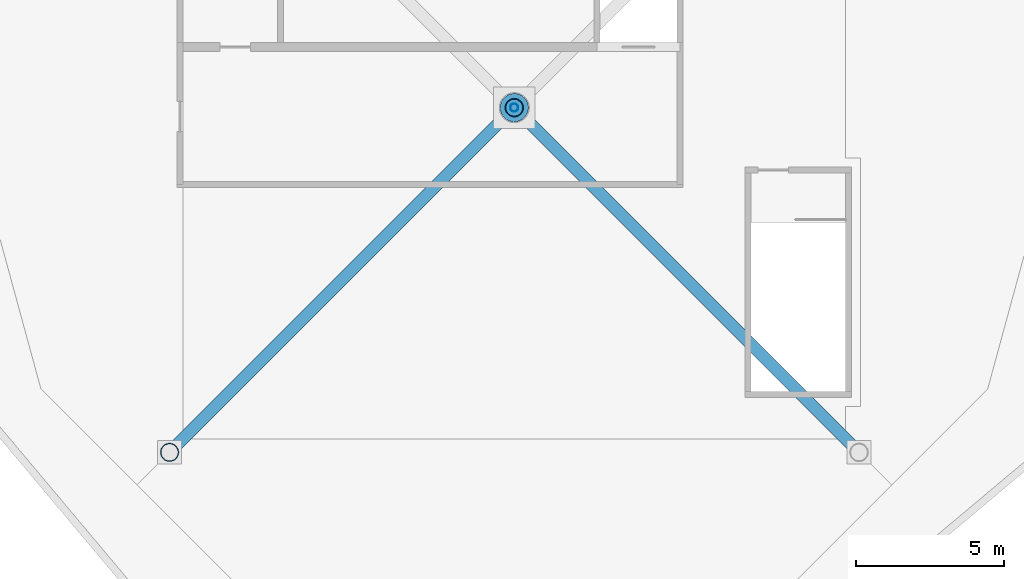
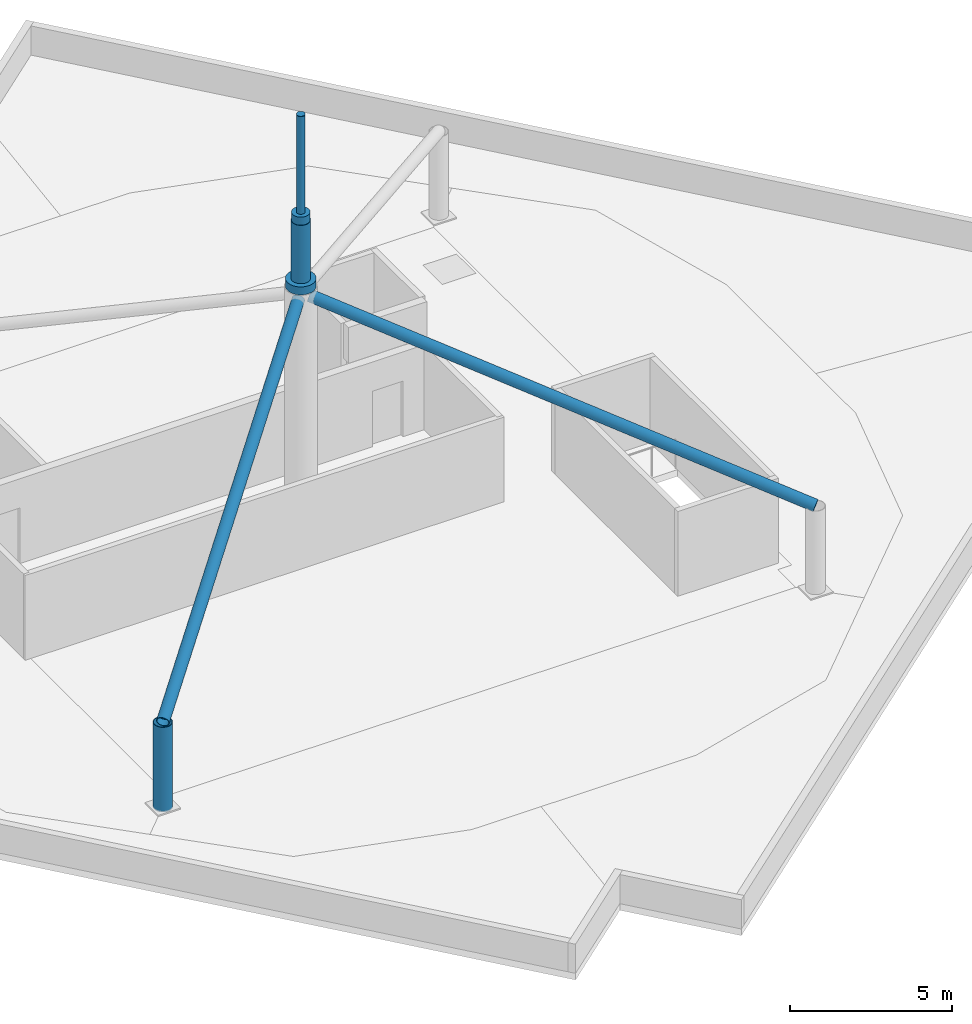
# One storey, part 1 of 4: 5 columns, 3 members.
"""IFC4 building model written with IfcOpenShell, lengths in metres."""

from ifc_helpers import new_model, si_unit, direction, frame, origin, origin_2d, place, context, subcontext, project, spatial, circle, hollow_circle, extrude, material, material_profile, profile_set, type_object, element, save


model = new_model("IFC4")

# Units and contexts
model_context = context("Model", 3, precision=1e-05, world=origin(), true_north=direction((0.0, 1.0)))
body_context = subcontext(model_context, "Body", "Model", "MODEL_VIEW")
ifc_project = project(units=[si_unit("LENGTHUNIT", "METRE"), si_unit("AREAUNIT", "SQUARE_METRE"), si_unit("VOLUMEUNIT", "CUBIC_METRE"), si_unit("PLANEANGLEUNIT", "RADIAN"), si_unit("MASSUNIT", "GRAM", prefix="KILO")], contexts=[model_context])

# Site, building, storey
site_placement = place(None, origin())
site = spatial("IfcSite", under=ifc_project, at=site_placement, CompositionType="ELEMENT")
building_placement = place(site_placement, origin())
building = spatial("IfcBuilding", under=site, at=building_placement, Name="Torsade Residences", CompositionType="ELEMENT")
storey_placement = place(building_placement, frame((0.0, 0.0, 308.800048828125)))
storey = spatial("IfcBuildingStorey", under=building, at=storey_placement, Name="RF", CompositionType="ELEMENT", Elevation=308.800048828125)

# Columns
ifc_material_1 = material(Name="Steel grade 450", Category="steel")
ifc_material_profile_1 = material_profile(ifc_material_1, hollow_circle(Radius=0.136474609375, WallThickness=0.00927734375, at=origin_2d()), Name="273.1x9.3CHS")
ifc_profile_set_1 = profile_set([ifc_material_profile_1], Name="Steel grade 450")
column_type_1 = type_object("IfcColumnType", Name="SPIRE MAST 273.1x9.3CHS", PredefinedType="USERDEFINED", material=ifc_profile_set_1)
column_1_placement = place(storey_placement, frame((40.0, 30.0, 11.300048828125), z_axis=(0.0, 0.0, 1.0), x_axis=(1.0, 0.0, 0.0)))
element("IfcColumn", 1, at=column_1_placement, inside=storey, type_object=column_type_1, Name="Spire mast section 3", ObjectType="SPIRE", PredefinedType="USERDEFINED", context=body_context, shape_type="SweptSolid", body=[
    extrude(hollow_circle(Radius=0.136474609375, WallThickness=0.00927734375, at=origin_2d()), origin(), (0.0, 0.0, 1.0), 3.683837890625),
])
ifc_material_2 = material(Name="Steel grade 450", Category="steel")
ifc_material_profile_2 = material_profile(ifc_material_2, hollow_circle(Radius=0.304931640625, WallThickness=0.01611328125, at=origin_2d()), Name="610.0x16.0CHS")
ifc_profile_set_2 = profile_set([ifc_material_profile_2], Name="Steel grade 450")
column_type_2 = type_object("IfcColumnType", Name="SPIRE MAST 610.0x16.0CHS", PredefinedType="USERDEFINED", material=ifc_profile_set_2)
column_2_placement = place(storey_placement, frame((40.0, 30.0, 8.800048828125), z_axis=(0.0, 0.0, 1.0), x_axis=(1.0, 0.0, 0.0)))
element("IfcColumn", 2, at=column_2_placement, inside=storey, type_object=column_type_2, Name="Spire mast section 2", ObjectType="SPIRE", PredefinedType="USERDEFINED", context=body_context, shape_type="SweptSolid", body=[
    extrude(hollow_circle(Radius=0.304931640625, WallThickness=0.01611328125, at=origin_2d()), origin(), (0.0, 0.0, 1.0), 2.199951171875),
])
ifc_material_3 = material(Name="Steel grade 450", Category="steel")
ifc_material_profile_3 = material_profile(ifc_material_3, circle(Radius=0.136474609375, at=origin_2d()), Name="273 DIA ROUND")
ifc_profile_set_3 = profile_set([ifc_material_profile_3], Name="Steel grade 450")
column_type_3 = type_object("IfcColumnType", Name="SPIRE MAST CAP 273 DIA", PredefinedType="USERDEFINED", material=ifc_profile_set_3)
column_3_placement = place(storey_placement, frame((40.0, 30.0, 14.98388671875), z_axis=(0.0, 0.0, 1.0), x_axis=(1.0, 0.0, 0.0)))
element("IfcColumn", 3, at=column_3_placement, inside=storey, type_object=column_type_3, Name="Spire mast end plate", ObjectType="SPIRE", PredefinedType="USERDEFINED", context=body_context, shape_type="SweptSolid", body=[
    extrude(circle(Radius=0.136474609375, at=origin_2d()), origin(), (0.0, 0.0, 1.0), 0.01611328125),
])
ifc_material_4 = material(Name="Steel grade 450", Category="steel")
ifc_material_profile_4 = material_profile(ifc_material_4, circle(Radius=0.2900390625, at=origin_2d()), Name="580 DIA ROUND")
ifc_profile_set_4 = profile_set([ifc_material_profile_4], Name="Steel grade 450")
column_type_4 = type_object("IfcColumnType", Name="SPIRE SPLICE PLUG 580 DIA", PredefinedType="USERDEFINED", material=ifc_profile_set_4)
column_4_placement = place(storey_placement, frame((40.0, 30.0, 11.0), z_axis=(0.0, 0.0, 1.0), x_axis=(1.0, 0.0, 0.0)))
element("IfcColumn", 4, at=column_4_placement, inside=storey, type_object=column_type_4, Name="Spire splice plug 2", ObjectType="SPIRE SPLICE PLUG", PredefinedType="USERDEFINED", context=body_context, shape_type="SweptSolid", body=[
    extrude(circle(Radius=0.2900390625, at=origin_2d()), origin(), (0.0, 0.0, 1.0), 0.300048828125),
])
ifc_material_5 = material(Name="Steel grade 450", Category="steel")
ifc_material_profile_5 = material_profile(ifc_material_5, circle(Radius=0.47705078125, at=origin_2d()), Name="954 DIA ROUND")
ifc_profile_set_5 = profile_set([ifc_material_profile_5], Name="Steel grade 450")
column_type_5 = type_object("IfcColumnType", Name="SPIRE SPLICE PLUG 954 DIA", PredefinedType="USERDEFINED", material=ifc_profile_set_5)
column_5_placement = place(storey_placement, frame((40.0, 30.0, 8.5), z_axis=(0.0, 0.0, 1.0), x_axis=(1.0, 0.0, 0.0)))
element("IfcColumn", 5, at=column_5_placement, inside=storey, type_object=column_type_5, Name="Spire splice plug 1", ObjectType="SPIRE SPLICE PLUG", PredefinedType="USERDEFINED", context=body_context, shape_type="SweptSolid", body=[
    extrude(circle(Radius=0.47705078125, at=origin_2d()), origin(), (0.0, 0.0, 1.0), 0.300048828125),
])

# Members
ifc_material_6 = material(Name="Steel grade 450", Category="steel")
ifc_material_profile_6 = material_profile(ifc_material_6, hollow_circle(Radius=0.203125, WallThickness=0.0126953125, at=origin_2d()), Name="406.4x12.7CHS")
ifc_profile_set_6 = profile_set([ifc_material_profile_6], Name="Steel grade 450")
member_type_1 = type_object("IfcMemberType", Name="SPIRE BRACE 406.4x12.7CHS", PredefinedType="BRACE", material=ifc_profile_set_6)
for number, where, z_axis, x_axis, name in (
    (6, (28.35009765625, 18.35009765625, 3.199951171875), (0.675630625369, 0.675630625369, 0.295036465757), (-0.707106781187, 0.707106781187, 0.0), "Spire brace 1"),
    (7, (51.64990234375, 18.35009765625, 3.199951171875), (-0.675630625369, 0.675630625369, 0.295036465757), (-0.707106781187, -0.707106781187, 0.0), "Spire brace 2"),
):
    element("IfcMember", number, at=place(storey_placement, frame(where, z_axis=z_axis, x_axis=x_axis)), inside=storey, type_object=member_type_1, Name=name, PredefinedType="BRACE", context=body_context, shape_type="SweptSolid", body=[
        extrude(hollow_circle(Radius=0.203125, WallThickness=0.0126953125, at=origin_2d()), origin(), (0.0, 0.0, 1.0), 16.947021484375),
    ])
ifc_material_7 = material(Name="Steel grade 450", Category="steel")
ifc_material_profile_7 = material_profile(ifc_material_7, hollow_circle(Radius=0.304931640625, WallThickness=0.01611328125, at=origin_2d()), Name="610.0x16.0CHS")
ifc_profile_set_7 = profile_set([ifc_material_profile_7], Name="Steel grade 450")
member_type_2 = type_object("IfcMemberType", Name="SPIRE STANCHION 610.0x16.0CHS", PredefinedType="USERDEFINED", material=ifc_profile_set_7)
member_placement = place(storey_placement, frame((28.35009765625, 18.35009765625, 0.0), z_axis=(0.0, 0.0, 1.0), x_axis=(1.0, 0.0, 0.0)))
element("IfcMember", 8, at=member_placement, inside=storey, type_object=member_type_2, Name="Spire stanchion 1", ObjectType="SPIRE STANCHION", PredefinedType="USERDEFINED", context=body_context, shape_type="SweptSolid", body=[
    extrude(hollow_circle(Radius=0.304931640625, WallThickness=0.01611328125, at=origin_2d()), origin(), (0.0, 0.0, 1.0), 3.199951171875),
])

save(model, "model.ifc")
